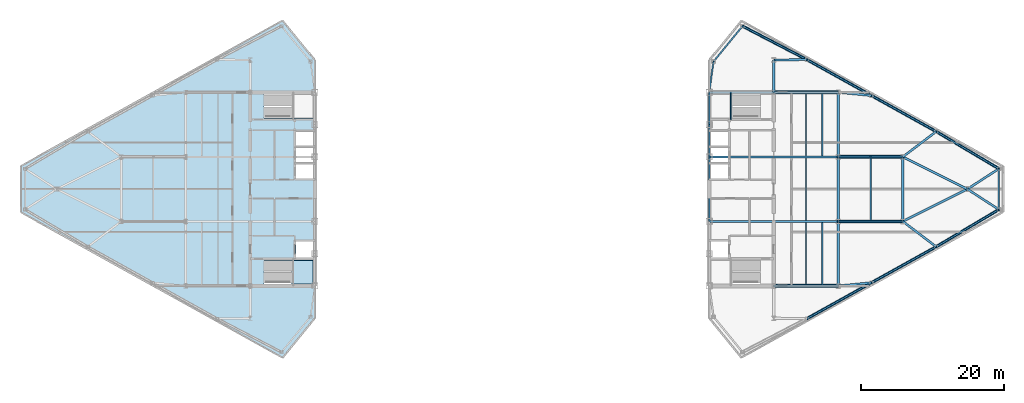
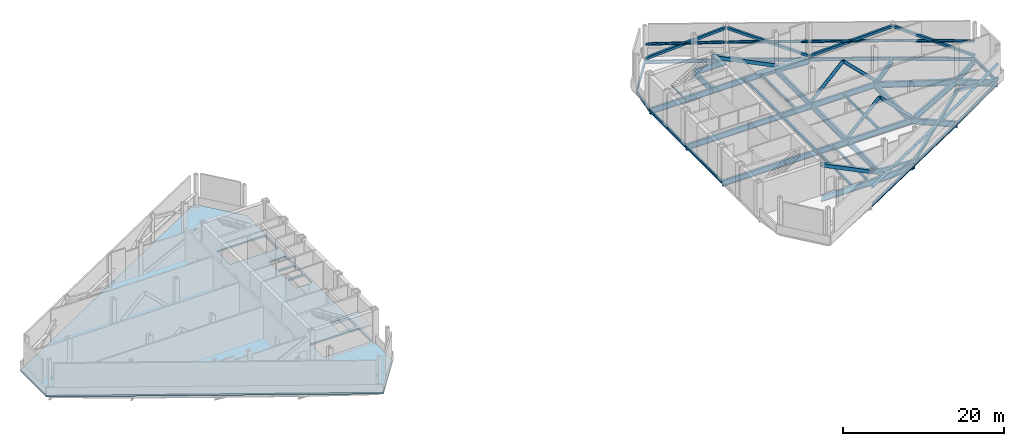
# One storey, part 4 of 11: 43 beams, 20 members, 2 slabs, 1 element without a shape of its own.
"""IFC4 building model written with IfcOpenShell, lengths in metres."""

from ifc_helpers import new_model, si_unit, direction, frame, origin, origin_2d, place, context, subcontext, project, spatial, polyline, hollow_rectangle, hollow_circle, i_section, outline, extrude, source, transform, mapped, material, layer, layer_set, material_profile, profile_set, type_object, type_shapes, element, aggregate, save


model = new_model("IFC4")

# Units and contexts
model_context = context("Model", 3, precision=1e-05, world=origin(), true_north=direction((0.0, 1.0)))
body_context = subcontext(model_context, "Body", "Model", "MODEL_VIEW")
ifc_project = project(units=[si_unit("LENGTHUNIT", "METRE"), si_unit("AREAUNIT", "SQUARE_METRE"), si_unit("VOLUMEUNIT", "CUBIC_METRE"), si_unit("PLANEANGLEUNIT", "RADIAN"), si_unit("MASSUNIT", "GRAM", prefix="KILO")], contexts=[model_context])

# Site, building, storey
site_placement = place(None, origin())
site = spatial("IfcSite", under=ifc_project, at=site_placement, CompositionType="ELEMENT")
building_placement = place(site_placement, origin())
building = spatial("IfcBuilding", under=site, at=building_placement, Name="Seokmaru Belvedere", CompositionType="ELEMENT")
storey_placement = place(building_placement, frame((0.0, 0.0, 162.0)))
storey = spatial("IfcBuildingStorey", under=building, at=storey_placement, Name="L43", CompositionType="ELEMENT", Elevation=162.0)

# Beams
ifc_material_1 = material(Name="Steel SM355 (355 MPa)", Category="steel")
ifc_material_profile_1 = material_profile(ifc_material_1, i_section(OverallWidth=0.199951171875, OverallDepth=0.5, WebThickness=0.010009765625, FlangeThickness=0.01611328125, at=origin_2d()), Name="H-500x200x10x16")
ifc_profile_set_1 = profile_set([ifc_material_profile_1], Name="Steel SM355 (355 MPa)")
beam_type_1 = type_object("IfcBeamType", Name="Perimeter Spandrel Beam H-500", PredefinedType="SPANDREL", material=ifc_profile_set_1)
shared_shape_1 = source(origin(), body_context, "Body", "SweptSolid", [
    extrude(i_section(OverallWidth=0.199951171875, OverallDepth=0.5, WebThickness=0.010009765625, FlangeThickness=0.01611328125, at=origin_2d()), origin(), (0.0, 0.0, 1.0), 4.5),
])
for number, where, z_axis, x_axis, name in (
    (1, (27.5, 4.5, -0.510009765625), (0.0, 1.0, 0.0), (-1.0, 0.0, 0.0), "L43 E Portal Spine Spandrel 4"),
    (2, (27.5, 9.0, -0.510009765625), (0.0, 1.0, 0.0), (-1.0, 0.0, 0.0), "L43 E Portal Spine Spandrel 5"),
):
    element("IfcBeam", number, at=place(storey_placement, frame(where, z_axis=z_axis, x_axis=x_axis)), inside=storey, type_object=beam_type_1, Name=name, PredefinedType="SPANDREL", context=body_context, shape_type="MappedRepresentation", body=[
        mapped(shared_shape_1, transform((0.0, 0.0, 0.0), scale=1.0)),
    ])
shared_shape_2 = source(origin(), body_context, "Body", "SweptSolid", [
    extrude(i_section(OverallWidth=0.199951171875, OverallDepth=0.5, WebThickness=0.010009765625, FlangeThickness=0.01611328125, at=origin_2d()), origin(), (0.0, 0.0, 1.0), 9.0),
])
beam_1_placement = place(storey_placement, frame((27.5, -4.5, -0.510009765625), z_axis=(0.0, 1.0, 0.0), x_axis=(-1.0, 0.0, 0.0)))
element("IfcBeam", 3, at=beam_1_placement, inside=storey, type_object=beam_type_1, Name="L43 E Portal Spine Spandrel 3", PredefinedType="SPANDREL", context=body_context, shape_type="MappedRepresentation", body=[
    mapped(shared_shape_2, transform((0.0, 0.0, 0.0), scale=1.0)),
])
ifc_material_profile_2 = material_profile(ifc_material_1, i_section(OverallWidth=0.300048828125, OverallDepth=0.89990234375, WebThickness=0.01611328125, FlangeThickness=0.028076171875, at=origin_2d()), Name="H-900x300x16x28")
ifc_profile_set_2 = profile_set([ifc_material_profile_2], Name="Steel SM355 (355 MPa)")
beam_type_2 = type_object("IfcBeamType", Name="Refuge Floor Girder H-900", PredefinedType="BEAM", material=ifc_profile_set_2)
shared_shape_3 = source(origin(), body_context, "Body", "SweptSolid", [
    extrude(i_section(OverallWidth=0.300048828125, OverallDepth=0.89990234375, WebThickness=0.01611328125, FlangeThickness=0.028076171875, at=origin_2d()), origin(), (0.0, 0.0, 1.0), 4.5),
])
beam_2_placement = place(storey_placement, frame((36.5, 13.5, -0.7099609375), z_axis=(0.0, 1.0, 0.0), x_axis=(-1.0, 0.0, 0.0)))
element("IfcBeam", 4, at=beam_2_placement, inside=storey, type_object=beam_type_2, Name="L43 E Core Shoulder Girder N", PredefinedType="BEAM", context=body_context, shape_type="MappedRepresentation", body=[
    mapped(shared_shape_3, transform((0.0, 0.0, 0.0), scale=1.0)),
])
shared_shape_4 = source(origin(), body_context, "Body", "SweptSolid", [
    extrude(i_section(OverallWidth=0.300048828125, OverallDepth=0.89990234375, WebThickness=0.01611328125, FlangeThickness=0.028076171875, at=origin_2d()), origin(), (0.0, 0.0, 1.0), 9.0),
])
for number, where, z_axis, x_axis, name in (
    (5, (45.5, -13.5, -0.7099609375), (0.0, 1.0, 0.0), (-1.0, 0.0, 0.0), "L43 E Interior Grid Girder 1"),
    (6, (45.5, -4.5, -0.7099609375), (0.0, 1.0, 0.0), (-1.0, 0.0, 0.0), "L43 E Interior Grid Girder 2"),
    (7, (45.5, 4.5, -0.7099609375), (0.0, 1.0, 0.0), (-1.0, 0.0, 0.0), "L43 E Interior Grid Girder 3"),
    (8, (36.5, -13.5, -0.7099609375), (1.0, 0.0, 0.0), (0.0, 1.0, 0.0), "L43 E Wing Primary Girder 1"),
    (9, (27.5, -4.5, -0.7099609375), (1.0, 0.0, 0.0), (0.0, 1.0, 0.0), "L43 E Core Tie Girder 2"),
    (10, (36.5, -4.5, -0.7099609375), (1.0, 0.0, 0.0), (0.0, 1.0, 0.0), "L43 E Wing Primary Girder 2"),
    (11, (27.5, 4.5, -0.7099609375), (1.0, 0.0, 0.0), (0.0, 1.0, 0.0), "L43 E Core Tie Girder 3"),
    (12, (36.5, 4.5, -0.7099609375), (1.0, 0.0, 0.0), (0.0, 1.0, 0.0), "L43 E Wing Primary Girder 3"),
    (13, (27.5, 13.5, -0.7099609375), (1.0, 0.0, 0.0), (0.0, 1.0, 0.0), "L43 E Core Tie Girder 4"),
    (14, (36.5, 13.5, -0.7099609375), (1.0, 0.0, 0.0), (0.0, 1.0, 0.0), "L43 E Wing Primary Girder 4"),
    (15, (45.5, -4.5, -0.7099609375), (1.0, 0.0, 0.0), (0.0, 1.0, 0.0), "L43 E Outer Wing Girder 1"),
    (16, (45.5, 4.5, -0.7099609375), (1.0, 0.0, 0.0), (0.0, 1.0, 0.0), "L43 E Outer Wing Girder 2"),
    (17, (54.5, -4.5, -0.7099609375), (0.0, 1.0, 0.0), (-1.0, 0.0, 0.0), "L43 E Apex Frame Girder"),
):
    element("IfcBeam", number, at=place(storey_placement, frame(where, z_axis=z_axis, x_axis=x_axis)), inside=storey, type_object=beam_type_2, Name=name, PredefinedType="BEAM", context=body_context, shape_type="MappedRepresentation", body=[
        mapped(shared_shape_4, transform((0.0, 0.0, 0.0), scale=1.0)),
    ])
shared_shape_5 = source(origin(), body_context, "Body", "SweptSolid", [
    extrude(i_section(OverallWidth=0.300048828125, OverallDepth=0.89990234375, WebThickness=0.01611328125, FlangeThickness=0.028076171875, at=origin_2d()), origin(), (0.0, 0.0, 1.0), 10.062255859375),
])
for number, where, z_axis, x_axis, name in (
    (18, (54.5, -4.5, -0.7099609375), (0.894427191, 0.4472135955, 0.0), (-0.4472135955, 0.894427191, 0.0), "L43 E Apex Converging Girder 1"),
    (19, (54.5, 4.5, -0.7099609375), (0.894427191, -0.4472135955, 0.0), (0.4472135955, 0.894427191, 0.0), "L43 E Apex Converging Girder 2"),
):
    element("IfcBeam", number, at=place(storey_placement, frame(where, z_axis=z_axis, x_axis=x_axis)), inside=storey, type_object=beam_type_2, Name=name, PredefinedType="BEAM", context=body_context, shape_type="MappedRepresentation", body=[
        mapped(shared_shape_5, transform((0.0, 0.0, 0.0), scale=1.0)),
    ])
ifc_material_profile_3 = material_profile(ifc_material_1, i_section(OverallWidth=0.199951171875, OverallDepth=0.39990234375, WebThickness=0.008056640625, FlangeThickness=0.012939453125, at=origin_2d()), Name="H-400x200x8x13")
ifc_profile_set_3 = profile_set([ifc_material_profile_3], Name="Steel SM355 (355 MPa)")
beam_type_3 = type_object("IfcBeamType", Name="Secondary Floor Joist H-400", PredefinedType="JOIST", material=ifc_profile_set_3)
shared_shape_6 = source(origin(), body_context, "Body", "SweptSolid", [
    extrude(i_section(OverallWidth=0.199951171875, OverallDepth=0.39990234375, WebThickness=0.008056640625, FlangeThickness=0.012939453125, at=origin_2d()), origin(), (0.0, 0.0, 1.0), 8.68994140625),
])
type_shapes(beam_type_3, [shared_shape_6])
for number, where, z_axis, x_axis, name in (
    (20, (43.25, -13.344970703125, -0.4599609375), (0.0, 1.0, 0.0), (-1.0, 0.0, 0.0), "L43 E Wing Inner Secondary Joist 1"),
    (21, (43.25, 4.655029296875, -0.4599609375), (0.0, 1.0, 0.0), (-1.0, 0.0, 0.0), "L43 E Wing Inner Secondary Joist 2"),
    (22, (41.0, -13.344970703125, -0.4599609375), (0.0, 1.0, 0.0), (-1.0, 0.0, 0.0), "L43 E Secondary Floor Joist 1"),
    (23, (41.0, -4.344970703125, -0.4599609375), (0.0, 1.0, 0.0), (-1.0, 0.0, 0.0), "L43 E Secondary Floor Joist 2"),
    (24, (41.0, 4.655029296875, -0.4599609375), (0.0, 1.0, 0.0), (-1.0, 0.0, 0.0), "L43 E Secondary Floor Joist 3"),
    (25, (50.0, -4.344970703125, -0.4599609375), (0.0, 1.0, 0.0), (-1.0, 0.0, 0.0), "L43 E Outer Bay Secondary Joist"),
):
    element("IfcBeam", number, at=place(storey_placement, frame(where, z_axis=z_axis, x_axis=x_axis)), inside=storey, type_object=beam_type_3, Name=name, PredefinedType="JOIST", context=body_context, shape_type="MappedRepresentation", body=[
        mapped(shared_shape_6, transform((0.0, 0.0, 0.0), scale=1.0)),
    ])
shared_shape_7 = source(origin(), body_context, "Body", "SweptSolid", [
    extrude(i_section(OverallWidth=0.199951171875, OverallDepth=0.5, WebThickness=0.010009765625, FlangeThickness=0.01611328125, at=origin_2d()), origin(), (0.0, 0.0, 1.0), 10.09716796875),
])
beam_3_placement = place(storey_placement, frame((32.146728515625, 22.731689453125, -0.510009765625), z_axis=(0.887085728914, -0.461604711369, 0.0), x_axis=(0.461604711369, 0.887085728914, 0.0)))
element("IfcBeam", 26, at=beam_3_placement, inside=storey, type_object=beam_type_1, Name="L43 E Faceted Flank Spandrel N-1", PredefinedType="SPANDREL", context=body_context, shape_type="MappedRepresentation", body=[
    mapped(shared_shape_7, transform((0.0, 0.0, 0.0), scale=1.0)),
])
shared_shape_8 = source(origin(), body_context, "Body", "SweptSolid", [
    extrude(i_section(OverallWidth=0.199951171875, OverallDepth=0.5, WebThickness=0.010009765625, FlangeThickness=0.01611328125, at=origin_2d()), origin(), (0.0, 0.0, 1.0), 10.327392578125),
])
for number, where, z_axis, x_axis, name in (
    (27, (41.103759765625, -18.07080078125, -0.510009765625), (0.873924120588, 0.486062374037, 0.0), (-0.486062374037, 0.873924120588, 0.0), "L43 E Faceted Flank Spandrel S-2"),
    (28, (50.129150390625, -13.051025390625, -0.510009765625), (0.873934162361, 0.48604431882, 0.0), (-0.48604431882, 0.873934162361, 0.0), "L43 E Faceted Flank Spandrel S-3"),
    (29, (41.103759765625, 18.07080078125, -0.510009765625), (0.873924120588, -0.486062374037, 0.0), (0.486062374037, 0.873924120588, 0.0), "L43 E Faceted Flank Spandrel N-2"),
    (30, (50.129150390625, 13.051025390625, -0.510009765625), (0.873934162361, -0.48604431882, 0.0), (0.48604431882, 0.873934162361, 0.0), "L43 E Faceted Flank Spandrel N-3"),
):
    element("IfcBeam", number, at=place(storey_placement, frame(where, z_axis=z_axis, x_axis=x_axis)), inside=storey, type_object=beam_type_1, Name=name, PredefinedType="SPANDREL", context=body_context, shape_type="MappedRepresentation", body=[
        mapped(shared_shape_8, transform((0.0, 0.0, 0.0), scale=1.0)),
    ])
shared_shape_9 = source(origin(), body_context, "Body", "SweptSolid", [
    extrude(i_section(OverallWidth=0.199951171875, OverallDepth=0.5, WebThickness=0.010009765625, FlangeThickness=0.01611328125, at=origin_2d()), origin(), (0.0, 0.0, 1.0), 10.16650390625),
])
for number, where, z_axis, x_axis, name in (
    (31, (59.154541015625, -8.031494140625, -0.510009765625), (0.860209996506, 0.509939959124, 0.0), (-0.509939959124, 0.860209996506, 0.0), "L43 E Faceted Flank Spandrel S-4"),
    (32, (59.154541015625, 8.031494140625, -0.510009765625), (0.860209996506, -0.509939959124, 0.0), (0.509939959124, 0.860209996506, 0.0), "L43 E Faceted Flank Spandrel N-4"),
):
    element("IfcBeam", number, at=place(storey_placement, frame(where, z_axis=z_axis, x_axis=x_axis)), inside=storey, type_object=beam_type_1, Name=name, PredefinedType="SPANDREL", context=body_context, shape_type="MappedRepresentation", body=[
        mapped(shared_shape_9, transform((0.0, 0.0, 0.0), scale=1.0)),
    ])
shared_shape_10 = source(origin(), body_context, "Body", "SweptSolid", [
    extrude(i_section(OverallWidth=0.199951171875, OverallDepth=0.5, WebThickness=0.010009765625, FlangeThickness=0.01611328125, at=origin_2d()), origin(), (0.0, 0.0, 1.0), 5.6943359375),
])
beam_4_placement = place(storey_placement, frame((67.89990234375, -2.84716796875, -0.510009765625), z_axis=(0.0, 1.0, 0.0), x_axis=(-1.0, 0.0, 0.0)))
element("IfcBeam", 33, at=beam_4_placement, inside=storey, type_object=beam_type_1, Name="L43 E Faceted Apex Spandrel", PredefinedType="SPANDREL", context=body_context, shape_type="MappedRepresentation", body=[
    mapped(shared_shape_10, transform((0.0, 0.0, 0.0), scale=1.0)),
])
shared_shape_11 = source(origin(), body_context, "Body", "SweptSolid", [
    extrude(i_section(OverallWidth=0.199951171875, OverallDepth=0.5, WebThickness=0.010009765625, FlangeThickness=0.01611328125, at=origin_2d()), origin(), (0.0, 0.0, 1.0), 6.390380859375),
])
beam_5_placement = place(storey_placement, frame((32.146728515625, 22.731689453125, -0.510009765625), z_axis=(-0.63324403161, -0.7739521926, 0.0), x_axis=(0.7739521926, -0.63324403161, 0.0)))
element("IfcBeam", 34, at=beam_5_placement, inside=storey, type_object=beam_type_1, Name="L43 E Shoulder Chamfer Spandrel N", PredefinedType="SPANDREL", context=body_context, shape_type="MappedRepresentation", body=[
    mapped(shared_shape_11, transform((0.0, 0.0, 0.0), scale=1.0)),
])
shared_shape_12 = source(origin(), body_context, "Body", "SweptSolid", [
    extrude(i_section(OverallWidth=0.199951171875, OverallDepth=0.5, WebThickness=0.010009765625, FlangeThickness=0.01611328125, at=origin_2d()), origin(), (0.0, 0.0, 1.0), 4.32763671875),
])
type_shapes(beam_type_1, [shared_shape_1, shared_shape_2, shared_shape_7, shared_shape_8, shared_shape_9, shared_shape_10, shared_shape_11, shared_shape_12])
beam_6_placement = place(storey_placement, frame((28.10009765625, 17.785888671875, -0.510009765625), z_axis=(-0.138664443237, -0.990339422714, 0.0), x_axis=(0.990339422714, -0.138664443237, 0.0)))
element("IfcBeam", 35, at=beam_6_placement, inside=storey, type_object=beam_type_1, Name="L43 E Shoulder Spine Spandrel N", PredefinedType="SPANDREL", context=body_context, shape_type="MappedRepresentation", body=[
    mapped(shared_shape_12, transform((0.0, 0.0, 0.0), scale=1.0)),
])
shared_shape_13 = source(origin(), body_context, "Body", "SweptSolid", [
    extrude(i_section(OverallWidth=0.300048828125, OverallDepth=0.89990234375, WebThickness=0.01611328125, FlangeThickness=0.028076171875, at=origin_2d()), origin(), (0.0, 0.0, 1.0), 4.604248046875),
])
beam_7_placement = place(storey_placement, frame((41.103759765625, 18.07080078125, -0.7099609375), z_axis=(-0.999881765622, -0.01537708607, 0.0), x_axis=(0.01537708607, -0.999881765622, 0.0)))
element("IfcBeam", 36, at=beam_7_placement, inside=storey, type_object=beam_type_2, Name="L43 E Flank Radial Floor Girder N-1", PredefinedType="BEAM", context=body_context, shape_type="MappedRepresentation", body=[
    mapped(shared_shape_13, transform((0.0, 0.0, 0.0), scale=1.0)),
])
shared_shape_14 = source(origin(), body_context, "Body", "SweptSolid", [
    extrude(i_section(OverallWidth=0.300048828125, OverallDepth=0.89990234375, WebThickness=0.01611328125, FlangeThickness=0.028076171875, at=origin_2d()), origin(), (0.0, 0.0, 1.0), 4.65087890625),
])
for number, where, z_axis, x_axis, name in (
    (37, (50.129150390625, -13.051025390625, -0.7099609375), (-0.995329534874, -0.09653557379, 0.0), (0.09653557379, -0.995329534874, 0.0), "L43 E Flank Radial Floor Girder S-2"),
    (38, (50.129150390625, 13.051025390625, -0.7099609375), (-0.995329534874, 0.09653557379, 0.0), (-0.09653557379, -0.995329534874, 0.0), "L43 E Flank Radial Floor Girder N-2"),
):
    element("IfcBeam", number, at=place(storey_placement, frame(where, z_axis=z_axis, x_axis=x_axis)), inside=storey, type_object=beam_type_2, Name=name, PredefinedType="BEAM", context=body_context, shape_type="MappedRepresentation", body=[
        mapped(shared_shape_14, transform((0.0, 0.0, 0.0), scale=1.0)),
    ])
shared_shape_15 = source(origin(), body_context, "Body", "SweptSolid", [
    extrude(i_section(OverallWidth=0.300048828125, OverallDepth=0.89990234375, WebThickness=0.01611328125, FlangeThickness=0.028076171875, at=origin_2d()), origin(), (0.0, 0.0, 1.0), 5.842529296875),
])
for number, where, z_axis, x_axis, name in (
    (39, (59.154541015625, -8.031494140625, -0.7099609375), (-0.796653109879, 0.604436781243, 0.0), (-0.604436781243, -0.796653109879, 0.0), "L43 E Flank Radial Floor Girder S-3"),
    (40, (59.154541015625, 8.031494140625, -0.7099609375), (-0.796653109879, -0.604436781243, 0.0), (0.604436781243, -0.796653109879, 0.0), "L43 E Flank Radial Floor Girder N-3"),
):
    element("IfcBeam", number, at=place(storey_placement, frame(where, z_axis=z_axis, x_axis=x_axis)), inside=storey, type_object=beam_type_2, Name=name, PredefinedType="BEAM", context=body_context, shape_type="MappedRepresentation", body=[
        mapped(shared_shape_15, transform((0.0, 0.0, 0.0), scale=1.0)),
    ])
shared_shape_16 = source(origin(), body_context, "Body", "SweptSolid", [
    extrude(i_section(OverallWidth=0.300048828125, OverallDepth=0.89990234375, WebThickness=0.01611328125, FlangeThickness=0.028076171875, at=origin_2d()), origin(), (0.0, 0.0, 1.0), 5.24072265625),
])
type_shapes(beam_type_2, [shared_shape_3, shared_shape_4, shared_shape_5, shared_shape_13, shared_shape_14, shared_shape_15, shared_shape_16])
for number, where, z_axis, x_axis, name in (
    (41, (67.89990234375, -2.84716796875, -0.7099609375), (-0.839555158729, 0.543274456836, 0.0), (-0.543274456836, -0.839555158729, 0.0), "L43 E Apex Radial Floor Girder 1"),
    (42, (67.89990234375, 2.84716796875, -0.7099609375), (-0.839555158729, -0.543274456836, 0.0), (0.543274456836, -0.839555158729, 0.0), "L43 E Apex Radial Floor Girder 2"),
):
    element("IfcBeam", number, at=place(storey_placement, frame(where, z_axis=z_axis, x_axis=x_axis)), inside=storey, type_object=beam_type_2, Name=name, PredefinedType="BEAM", context=body_context, shape_type="MappedRepresentation", body=[
        mapped(shared_shape_16, transform((0.0, 0.0, 0.0), scale=1.0)),
    ])

# Members
ifc_material_2 = material(Name="Steel HSA650 (650 MPa)", Category="steel")
ifc_material_profile_4 = material_profile(ifc_material_2, hollow_rectangle(XDim=0.5, YDim=0.5, WallThickness=0.02001953125, at=origin_2d()), Name="HSS-500x500x20")
ifc_profile_set_4 = profile_set([ifc_material_profile_4], Name="Steel HSA650 (650 MPa)")
member_type_1 = type_object("IfcMemberType", Name="Outrigger Truss Diagonal HSS-500", PredefinedType="BRACE", material=ifc_profile_set_4)
shared_shape_17 = source(origin(), body_context, "Body", "SweptSolid", [
    extrude(hollow_rectangle(XDim=0.5, YDim=0.5, WallThickness=0.02001953125, at=origin_2d()), origin(), (0.0, 0.0, 1.0), 10.03125),
])
type_shapes(member_type_1, [shared_shape_17])
for number, where, z_axis, x_axis, name in (
    (43, (45.5, -13.5, 0.0), (-0.897203761247, 0.0, 0.441616814449), (0.0, -1.0, 0.0), "L43 E Outrigger Truss Diagonal 1A"),
    (44, (45.5, 13.5, 0.0), (-0.897203761247, 0.0, 0.441616814449), (0.0, -1.0, 0.0), "L43 E Outrigger Truss Diagonal 4A"),
):
    element("IfcMember", number, at=place(storey_placement, frame(where, z_axis=z_axis, x_axis=x_axis)), inside=storey, type_object=member_type_1, Name=name, PredefinedType="BRACE", context=body_context, shape_type="MappedRepresentation", body=[
        mapped(shared_shape_17, transform((0.0, 0.0, 0.0), scale=1.0)),
    ])
ifc_material_profile_5 = material_profile(ifc_material_2, hollow_circle(Radius=0.228515625, WallThickness=0.01611328125, at=origin_2d()), Name="CHS-457.2x16.0")
ifc_profile_set_5 = profile_set([ifc_material_profile_5], Name="Steel HSA650 (650 MPa)")
member_type_2 = type_object("IfcMemberType", Name="Outrigger Tie Strut CHS-457", PredefinedType="BRACE", material=ifc_profile_set_5)
shared_shape_18 = source(origin(), body_context, "Body", "SweptSolid", [
    extrude(hollow_circle(Radius=0.228515625, WallThickness=0.01611328125, at=origin_2d()), origin(), (0.0, 0.0, 1.0), 6.314697265625),
])
type_shapes(member_type_2, [shared_shape_18])
for number, where, z_axis, x_axis, name in (
    (45, (45.5, -4.5, 0.0), (0.712633129905, 0.0, 0.701536900072), (0.0, 1.0, 0.0), "L43 E Outrigger Truss Diagonal 2A"),
    (46, (54.5, -4.5, 0.0), (-0.712633129905, 0.0, 0.701536900072), (0.0, -1.0, 0.0), "L43 E Outrigger Truss Diagonal 2B"),
    (47, (45.5, 4.5, 0.0), (0.712633129905, 0.0, 0.701536900072), (0.0, 1.0, 0.0), "L43 E Outrigger Truss Diagonal 3A"),
    (48, (54.5, 4.5, 0.0), (-0.712633129905, 0.0, 0.701536900072), (0.0, -1.0, 0.0), "L43 E Outrigger Truss Diagonal 3B"),
):
    element("IfcMember", number, at=place(storey_placement, frame(where, z_axis=z_axis, x_axis=x_axis)), inside=storey, type_object=member_type_2, Name=name, PredefinedType="BRACE", context=body_context, shape_type="MappedRepresentation", body=[
        mapped(shared_shape_18, transform((0.0, 0.0, 0.0), scale=1.0)),
    ])
ifc_material_profile_6 = material_profile(ifc_material_2, hollow_rectangle(XDim=0.35009765625, YDim=0.35009765625, WallThickness=0.013916015625, at=origin_2d()), Name="HSS-350x350x14")
ifc_profile_set_6 = profile_set([ifc_material_profile_6], Name="Steel HSA650 (650 MPa)")
member_type_3 = type_object("IfcMemberType", Name="Belt Truss Diagonal HSS-350", PredefinedType="BRACE", material=ifc_profile_set_6)
shared_shape_19 = source(origin(), body_context, "Body", "SweptSolid", [
    extrude(hollow_rectangle(XDim=0.35009765625, YDim=0.35009765625, WallThickness=0.013916015625, at=origin_2d()), origin(), (0.0, 0.0, 1.0), 11.026123046875),
])
member_1_placement = place(storey_placement, frame((32.146728515625, 22.731689453125, 0.0), z_axis=(0.812342390961, -0.422711202187, 0.401764955407), x_axis=(0.461604711369, 0.887085728914, 0.0)))
element("IfcMember", 49, at=member_1_placement, inside=storey, type_object=member_type_3, Name="L43 E Perimeter Belt Truss Brace 5", PredefinedType="BRACE", context=body_context, shape_type="MappedRepresentation", body=[
    mapped(shared_shape_19, transform((0.0, 0.0, 0.0), scale=1.0)),
])
ifc_material_profile_7 = material_profile(ifc_material_1, hollow_circle(Radius=0.203125, WallThickness=0.01416015625, at=origin_2d()), Name="CHS-406.4x14.2")
ifc_profile_set_7 = profile_set([ifc_material_profile_7], Name="Steel SM355 (355 MPa)")
member_type_4 = type_object("IfcMemberType", Name="Belt Truss Chord Member CHS-406", PredefinedType="CHORD", material=ifc_profile_set_7)
shared_shape_20 = source(origin(), body_context, "Body", "SweptSolid", [
    extrude(hollow_circle(Radius=0.203125, WallThickness=0.01416015625, at=origin_2d()), origin(), (0.0, 0.0, 1.0), 10.09716796875),
])
member_2_placement = place(storey_placement, frame((32.146728515625, 22.731689453125, 2.215087890625), z_axis=(0.887085728914, -0.461604711369, 0.0), x_axis=(0.461604711369, 0.887085728914, 0.0)))
element("IfcMember", 50, at=member_2_placement, inside=storey, type_object=member_type_4, Name="L43 E Perimeter Belt Truss Chord 5", PredefinedType="CHORD", context=body_context, shape_type="MappedRepresentation", body=[
    mapped(shared_shape_20, transform((0.0, 0.0, 0.0), scale=1.0)),
])
shared_shape_21 = source(origin(), body_context, "Body", "SweptSolid", [
    extrude(hollow_rectangle(XDim=0.35009765625, YDim=0.35009765625, WallThickness=0.013916015625, at=origin_2d()), origin(), (0.0, 0.0, 1.0), 11.237548828125),
])
for number, where, z_axis, x_axis, name in (
    (51, (41.103759765625, -18.07080078125, 4.429931640625), (0.803153438011, 0.446700872077, -0.394211727243), (-0.486062374037, 0.873924120588, 0.0), "L43 E Perimeter Belt Truss Brace 2"),
    (52, (41.103759765625, 18.07080078125, 4.429931640625), (0.803153438011, -0.446700872077, -0.394211727243), (0.486062374037, 0.873924120588, 0.0), "L43 E Perimeter Belt Truss Brace 6"),
):
    element("IfcMember", number, at=place(storey_placement, frame(where, z_axis=z_axis, x_axis=x_axis)), inside=storey, type_object=member_type_3, Name=name, PredefinedType="BRACE", context=body_context, shape_type="MappedRepresentation", body=[
        mapped(shared_shape_21, transform((0.0, 0.0, 0.0), scale=1.0)),
    ])
shared_shape_22 = source(origin(), body_context, "Body", "SweptSolid", [
    extrude(hollow_circle(Radius=0.203125, WallThickness=0.01416015625, at=origin_2d()), origin(), (0.0, 0.0, 1.0), 10.327392578125),
])
for number, where, z_axis, x_axis, name in (
    (53, (41.103759765625, -18.07080078125, 2.215087890625), (0.873924120588, 0.486062374037, 0.0), (-0.486062374037, 0.873924120588, 0.0), "L43 E Perimeter Belt Truss Chord 2"),
    (54, (50.129150390625, -13.051025390625, 2.215087890625), (0.873934162361, 0.48604431882, 0.0), (-0.48604431882, 0.873934162361, 0.0), "L43 E Perimeter Belt Truss Chord 3"),
    (55, (41.103759765625, 18.07080078125, 2.215087890625), (0.873924120588, -0.486062374037, 0.0), (0.486062374037, 0.873924120588, 0.0), "L43 E Perimeter Belt Truss Chord 6"),
    (56, (50.129150390625, 13.051025390625, 2.215087890625), (0.873934162361, -0.48604431882, 0.0), (0.48604431882, 0.873934162361, 0.0), "L43 E Perimeter Belt Truss Chord 7"),
):
    element("IfcMember", number, at=place(storey_placement, frame(where, z_axis=z_axis, x_axis=x_axis)), inside=storey, type_object=member_type_4, Name=name, PredefinedType="CHORD", context=body_context, shape_type="MappedRepresentation", body=[
        mapped(shared_shape_22, transform((0.0, 0.0, 0.0), scale=1.0)),
    ])
shared_shape_23 = source(origin(), body_context, "Body", "SweptSolid", [
    extrude(hollow_rectangle(XDim=0.35009765625, YDim=0.35009765625, WallThickness=0.013916015625, at=origin_2d()), origin(), (0.0, 0.0, 1.0), 11.2373046875),
])
for number, where, z_axis, x_axis, name in (
    (57, (50.129150390625, -13.051025390625, 0.0), (0.803161232429, 0.446683481355, 0.394215552976), (-0.48604431882, 0.873934162361, 0.0), "L43 E Perimeter Belt Truss Brace 3"),
    (58, (50.129150390625, 13.051025390625, 0.0), (0.803161232429, -0.446683481355, 0.394215552976), (0.48604431882, 0.873934162361, 0.0), "L43 E Perimeter Belt Truss Brace 7"),
):
    element("IfcMember", number, at=place(storey_placement, frame(where, z_axis=z_axis, x_axis=x_axis)), inside=storey, type_object=member_type_3, Name=name, PredefinedType="BRACE", context=body_context, shape_type="MappedRepresentation", body=[
        mapped(shared_shape_23, transform((0.0, 0.0, 0.0), scale=1.0)),
    ])
shared_shape_24 = source(origin(), body_context, "Body", "SweptSolid", [
    extrude(hollow_rectangle(XDim=0.35009765625, YDim=0.35009765625, WallThickness=0.013916015625, at=origin_2d()), origin(), (0.0, 0.0, 1.0), 11.08984375),
])
type_shapes(member_type_3, [shared_shape_19, shared_shape_21, shared_shape_23, shared_shape_24])
for number, where, z_axis, x_axis, name in (
    (59, (59.154541015625, -8.031494140625, 4.429931640625), (0.788597568305, 0.467487489544, -0.399461290218), (-0.509939959124, 0.860209996506, 0.0), "L43 E Perimeter Belt Truss Brace 4"),
    (60, (59.154541015625, 8.031494140625, 4.429931640625), (0.788597568305, -0.467487489544, -0.399461290218), (0.509939959124, 0.860209996506, 0.0), "L43 E Perimeter Belt Truss Brace 8"),
):
    element("IfcMember", number, at=place(storey_placement, frame(where, z_axis=z_axis, x_axis=x_axis)), inside=storey, type_object=member_type_3, Name=name, PredefinedType="BRACE", context=body_context, shape_type="MappedRepresentation", body=[
        mapped(shared_shape_24, transform((0.0, 0.0, 0.0), scale=1.0)),
    ])
shared_shape_25 = source(origin(), body_context, "Body", "SweptSolid", [
    extrude(hollow_circle(Radius=0.203125, WallThickness=0.01416015625, at=origin_2d()), origin(), (0.0, 0.0, 1.0), 10.16650390625),
])
type_shapes(member_type_4, [shared_shape_20, shared_shape_22, shared_shape_25])
for number, where, z_axis, x_axis, name in (
    (61, (59.154541015625, -8.031494140625, 2.215087890625), (0.860209996506, 0.509939959124, 0.0), (-0.509939959124, 0.860209996506, 0.0), "L43 E Perimeter Belt Truss Chord 4"),
    (62, (59.154541015625, 8.031494140625, 2.215087890625), (0.860209996506, -0.509939959124, 0.0), (0.509939959124, 0.860209996506, 0.0), "L43 E Perimeter Belt Truss Chord 8"),
):
    element("IfcMember", number, at=place(storey_placement, frame(where, z_axis=z_axis, x_axis=x_axis)), inside=storey, type_object=member_type_4, Name=name, PredefinedType="CHORD", context=body_context, shape_type="MappedRepresentation", body=[
        mapped(shared_shape_25, transform((0.0, 0.0, 0.0), scale=1.0)),
    ])

# Beam
ifc_material_profile_8 = material_profile(ifc_material_1, i_section(OverallWidth=0.125, OverallDepth=0.25, WebThickness=0.006103515625, FlangeThickness=0.009033203125, at=origin_2d()), Name="H-250x125x6x9")
ifc_profile_set_8 = profile_set([ifc_material_profile_8], Name="Steel SM355 (355 MPa)")
beam_type_4 = type_object("IfcBeamType", Name="Stair Mid-Landing Support Beam H-250", PredefinedType="JOIST", material=ifc_profile_set_8)
shared_shape_26 = source(origin(), body_context, "Body", "SweptSolid", [
    extrude(i_section(OverallWidth=0.125, OverallDepth=0.25, WebThickness=0.006103515625, FlangeThickness=0.009033203125, at=origin_2d()), origin(), (0.0, 0.0, 1.0), 3.800048828125),
])
type_shapes(beam_type_4, [shared_shape_26])
beam_8_placement = place(storey_placement, frame((30.530029296875, 9.699951171875, 2.22509765625), z_axis=(0.0, 1.0, 0.0), x_axis=(-1.0, 0.0, 0.0)))
element("IfcBeam", 63, at=beam_8_placement, inside=storey, type_object=beam_type_4, Name="L43 Stair ST-E2 Mid-Landing Support Beam 1", PredefinedType="JOIST", context=body_context, shape_type="MappedRepresentation", body=[
    mapped(shared_shape_26, transform((0.0, 0.0, 0.0), scale=1.0)),
])

# Slab
ifc_material_3 = material(Name="Concrete C50 (50 MPa)", Category="concrete")
ifc_layer_1 = layer(ifc_material_3, 0.260009765625)
ifc_layer_set_1 = layer_set([ifc_layer_1], Name="Concrete C50 (50 MPa)")
slab_type_1 = type_object("IfcSlabType", Name="Refuge and Sky-Gate Heavy Floor Slab 260", PredefinedType="FLOOR", material=ifc_layer_set_1)
slab_1_placement = place(storey_placement, frame((0.0, 0.0, -0.260009765625)))
element("IfcSlab", 64, at=slab_1_placement, inside=storey, type_object=slab_type_1, Name="L43 West Leg Floor Slab", PredefinedType="FLOOR", context=body_context, shape_type="SweptSolid", body=[
    extrude(outline(polyline([(-27.5, -18.0), (-27.5, 18.0), (-32.0, 23.5), (-68.5, 3.199951171875), (-68.5, -3.199951171875), (-32.0, -23.5), (-27.5, -18.0)]), holes=[polyline([(-34.60009765625, -13.25), (-27.75, -13.25), (-27.75, -9.949951171875), (-34.60009765625, -9.949951171875), (-34.60009765625, -13.25)]), polyline([(-34.60009765625, 9.949951171875), (-27.75, 9.949951171875), (-27.75, 13.25), (-34.60009765625, 13.25), (-34.60009765625, 9.949951171875)]), polyline([(-30.14990234375, -9.550048828125), (-27.75, -9.550048828125), (-27.75, -7.25), (-30.14990234375, -7.25), (-30.14990234375, -9.550048828125)]), polyline([(-30.14990234375, 1.449951171875), (-27.75, 1.449951171875), (-27.75, 3.449951171875), (-30.14990234375, 3.449951171875), (-30.14990234375, 1.449951171875)]), polyline([(-30.14990234375, 3.75), (-27.75, 3.75), (-27.75, 5.75), (-30.14990234375, 5.75), (-30.14990234375, 3.75)]), polyline([(-30.14990234375, 6.050048828125), (-27.75, 6.050048828125), (-27.75, 8.050048828125), (-30.14990234375, 8.050048828125), (-30.14990234375, 6.050048828125)])]), origin(), (0.0, 0.0, 1.0), 0.260009765625),
])

# Stair, slab
ifc_material_4 = material(Name="Concrete C40 (40 MPa)", Category="concrete")
stair_type = type_object("IfcStairType", Name="Refuge Storey Core Dog-Leg Stair 5100", PredefinedType="TWO_STRAIGHT_RUN_STAIR", material=ifc_material_4)
stair_placement = place(storey_placement, origin())
stair = element("IfcStair", 65, at=stair_placement, inside=storey, type_object=stair_type, Name="L43 Special Escape Stair ST-W1", PredefinedType="TWO_STRAIGHT_RUN_STAIR")
ifc_layer_2 = layer(ifc_material_4, 0.199951171875)
ifc_layer_set_2 = layer_set([ifc_layer_2], Name="Concrete C40 (40 MPa)")
slab_type_2 = type_object("IfcSlabType", Name="Reinforced Concrete Stair Landing Slab 200", PredefinedType="LANDING", material=ifc_layer_set_2)
slab_2_placement = place(storey_placement, frame((0.0, 0.0, 2.35009765625)))
slab_2 = element("IfcSlab", 66, at=slab_2_placement, type_object=slab_type_2, Name="ST-W1 landing 1", PredefinedType="LANDING", context=body_context, shape_type="SweptSolid", body=[
    extrude(outline(polyline([(-30.760009765625, -13.239990234375), (-27.760009765625, -13.239990234375), (-27.760009765625, -9.949951171875), (-30.760009765625, -9.949951171875), (-30.760009765625, -13.239990234375)])), origin(), (0.0, 0.0, 1.0), 0.199951171875),
])
aggregate(stair, [slab_2])

save(model, "model.ifc")
